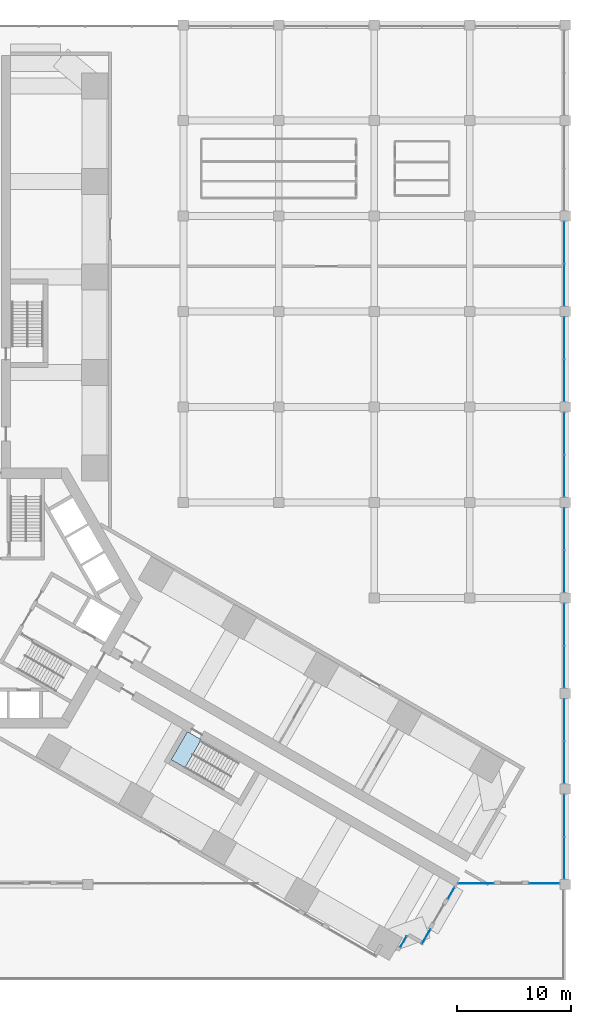
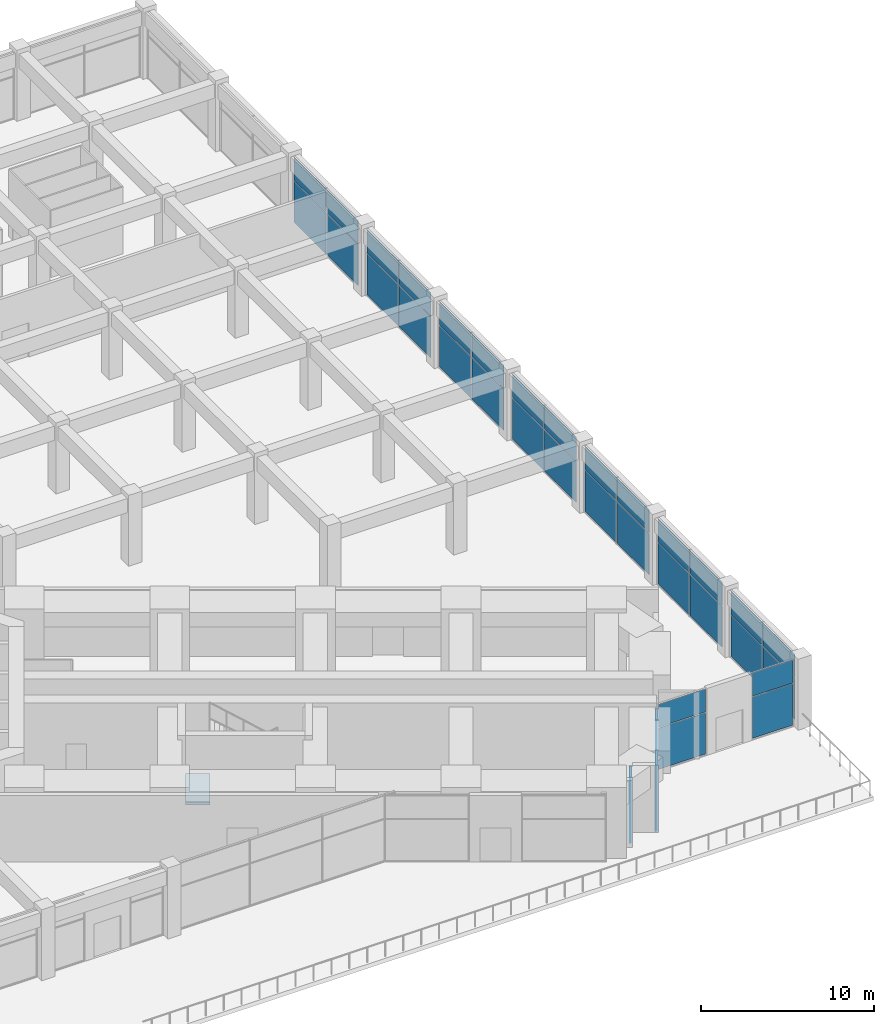
# One storey, part 24 of 34: 38 plates, 1 slab, 13 elements without a shape of their own.
"""IFC4 building model written with IfcOpenShell, lengths in metres."""

import ifcopenshell
import ifcopenshell.guid

model = None  # the IFC model being written
_history = None  # IfcOwnerHistory: only IFC2X3 demands one
_inside = {}  # id of a spatial element -> (the spatial element, [elements in it])
_under = {}  # id of a project, library or spatial element -> (it, [spatial elements below it])
_declared = {}  # id of a project -> (the project, [libraries it declares])
_typed = {}  # id of a type object -> (the type object, [elements of that type])
_made_of = {}  # id of a material, layer set ... -> (it, [elements and type objects made of it])


def new_model(schema):
    """Start an empty IFC model of exactly this schema.

    Asked for "IFC4X3", IfcOpenShell would pick the latest addendum, in which some entities
    have other attributes; the version numbers below select the first issue.
    IFC2X3 requires an IfcOwnerHistory on every rooted entity: one is made here for all.
    """
    global model, _history
    if schema == "IFC4X3":
        model = ifcopenshell.file(schema_version=(4, 3, 0, 0))
    else:
        model = ifcopenshell.file(schema=schema)
    _inside.clear()
    _under.clear()
    _declared.clear()
    _typed.clear()
    _made_of.clear()
    _history = None
    if model.schema == "IFC2X3":
        org = make("IfcOrganization", Name="unknown")
        user = make(
            "IfcPersonAndOrganization",
            ThePerson=make("IfcPerson", FamilyName="unknown"),
            TheOrganization=org,
        )
        app = make(
            "IfcApplication",
            ApplicationDeveloper=org,
            Version="unknown",
            ApplicationFullName="unknown",
            ApplicationIdentifier="unknown",
        )
        _history = make(
            "IfcOwnerHistory",
            OwningUser=user,
            OwningApplication=app,
            ChangeAction="ADDED",
            CreationDate=0,
        )
    return model


def make(cls, **values):
    """One entity of the class cls with the attributes given. An attribute that is None is left unset."""
    return model.create_entity(
        cls, **{name: value for name, value in values.items() if value is not None}
    )


def rooted(cls, **values):
    """An entity with a GlobalId (a new one), such as an element, a storey or a relation."""
    return make(cls, GlobalId=ifcopenshell.guid.new(), OwnerHistory=_history, **values)


def si_unit(unit_type, name, prefix=None):
    """IfcSIUnit, for example si_unit("LENGTHUNIT", "METRE", prefix="MILLI")."""
    return make("IfcSIUnit", UnitType=unit_type, Prefix=prefix, Name=name)


def assignment(units):
    """IfcUnitAssignment: the units of a project."""
    return None if units is None else make("IfcUnitAssignment", Units=units)


def point(xyz):
    """IfcCartesianPoint."""
    return None if xyz is None else make("IfcCartesianPoint", Coordinates=xyz)


def direction(xyz):
    """IfcDirection."""
    return None if xyz is None else make("IfcDirection", DirectionRatios=xyz)


def frame(location, z_axis=None, x_axis=None):
    """IfcAxis2Placement3D, a coordinate frame: its origin and axes. An axis left out is left unset."""
    return make(
        "IfcAxis2Placement3D",
        Location=point(location),
        Axis=direction(z_axis),
        RefDirection=direction(x_axis),
    )


def frame_2d(location, x_axis=None):
    """IfcAxis2Placement2D, a coordinate frame in the plane: its origin and x axis."""
    return make(
        "IfcAxis2Placement2D", Location=point(location), RefDirection=direction(x_axis)
    )


def origin():
    """The frame at (0, 0, 0) with its axes left unset."""
    return frame((0.0, 0.0, 0.0))


def origin_2d():
    """The frame at (0, 0) in the plane with its x axis left unset."""
    return frame_2d((0.0, 0.0))


def place(relative_to, where):
    """IfcLocalPlacement: puts the frame where relative to a parent placement (None: the world)."""
    return make(
        "IfcLocalPlacement", PlacementRelTo=relative_to, RelativePlacement=where
    )


def context(
    kind, dimensions, precision=None, world=None, true_north=None, identifier=None
):
    """IfcGeometricRepresentationContext, for example the 3D "Model" context."""
    return make(
        "IfcGeometricRepresentationContext",
        ContextIdentifier=identifier,
        ContextType=kind,
        CoordinateSpaceDimension=dimensions,
        Precision=precision,
        WorldCoordinateSystem=world,
        TrueNorth=true_north,
    )


def subcontext(parent, identifier, kind, view, scale=None):
    """IfcGeometricRepresentationSubContext, for example "Body" below "Model"."""
    return make(
        "IfcGeometricRepresentationSubContext",
        ContextIdentifier=identifier,
        ContextType=kind,
        ParentContext=parent,
        TargetScale=scale,
        TargetView=view,
    )


def project(units=None, contexts=None):
    """IfcProject with its units and contexts."""
    return rooted(
        "IfcProject",
        Name="project",
        RepresentationContexts=contexts,
        UnitsInContext=assignment(units),
    )


def spatial(cls, under=None, at=None, **own):
    """A site, building, storey or space (cls), placed at a placement, below another one or the project."""
    s = rooted(cls, ObjectPlacement=at, **own)
    if under is not None:
        _under.setdefault(under.id(), (under, []))[1].append(s)
    return s


def polyline(points):
    """IfcPolyline through the points."""
    return make("IfcPolyline", Points=[point(p) for p in points])


def profile(cls, at=None, kind="AREA", **sizes):
    """A parametric profile (cls). Its sizes go by their IFC names, for example OverallWidth=200.0."""
    return make(cls, ProfileType=kind, Position=at, **sizes)


def rectangle(**sizes):
    """IfcRectangleProfileDef."""
    return profile("IfcRectangleProfileDef", **sizes)


def outline(outer, holes=None, kind="AREA"):
    """IfcArbitraryClosedProfileDef: a profile drawn as a closed curve; with holes, ...WithVoids."""
    if holes is None:
        return make("IfcArbitraryClosedProfileDef", ProfileType=kind, OuterCurve=outer)
    return make(
        "IfcArbitraryProfileDefWithVoids",
        ProfileType=kind,
        OuterCurve=outer,
        InnerCurves=holes,
    )


def extrude(swept, where, along, depth):
    """IfcExtrudedAreaSolid: the profile swept, set in the frame where, extruded along a direction by depth."""
    return make(
        "IfcExtrudedAreaSolid",
        SweptArea=swept,
        Position=where,
        ExtrudedDirection=direction(along),
        Depth=depth,
    )


def shape(context_of_items, identifier, shape_type, items):
    """IfcShapeRepresentation: the items that make up one representation, for example the "Body"."""
    return make(
        "IfcShapeRepresentation",
        ContextOfItems=context_of_items,
        RepresentationIdentifier=identifier,
        RepresentationType=shape_type,
        Items=items,
    )


def material(Name=None, Category=None):
    """IfcMaterial."""
    return make("IfcMaterial", Name=Name, Category=Category)


def layer(
    of_material, thickness, ventilated=None, Name=None, Category=None, Priority=None
):
    """IfcMaterialLayer: one layer of a wall or slab, of a material (None: an air gap)."""
    return make(
        "IfcMaterialLayer",
        Material=of_material,
        LayerThickness=thickness,
        IsVentilated=ventilated,
        Name=Name,
        Category=Category,
        Priority=Priority,
    )


def layer_set(layers, Name=None):
    """IfcMaterialLayerSet."""
    return make("IfcMaterialLayerSet", MaterialLayers=layers, LayerSetName=Name)


def made_of(thing, what):
    """Note that an element or type object is made of a material, layer set ...; save() writes the relation."""
    if what is not None:
        _made_of.setdefault(what.id(), (what, []))[1].append(thing)
    return thing


def type_object(cls, material=None, **own):
    """A type object (cls), such as IfcWallType, which elements share."""
    return made_of(rooted(cls, **own), material)


def element(
    cls,
    number,
    at=None,
    inside=None,
    cuts=None,
    type_object=None,
    material=None,
    context=None,
    identifier="Body",
    shape_type=None,
    held_by="IfcProductDefinitionShape",
    body=None,
    shapes=None,
    **own,
):
    """One element of the class cls, such as IfcWall. Its Tag is "e" and its number.

    at: its placement. inside: the storey or other place that contains it. cuts: it is an
    opening in that element (IfcRelVoidsElement). A single representation is given by context,
    identifier, shape_type and body (its items); several are given by shapes. held_by: the class
    of the entity that holds the representations. save() writes the other relations.
    """
    e = rooted(cls, Tag="e%d" % number, ObjectPlacement=at, **own)
    if body is not None:
        shapes = [shape(context, identifier, shape_type, body)]
    if shapes is not None:
        e.Representation = make(held_by, Representations=shapes)
    if inside is not None:
        _inside.setdefault(inside.id(), (inside, []))[1].append(e)
    if cuts is not None:
        rooted(
            "IfcRelVoidsElement", RelatingBuildingElement=cuts, RelatedOpeningElement=e
        )
    if type_object is not None:
        _typed.setdefault(type_object.id(), (type_object, []))[1].append(e)
    return made_of(e, material)


def aggregate(whole, parts):
    """IfcRelAggregates: a whole, such as a stair, and the parts it consists of."""
    return rooted("IfcRelAggregates", RelatingObject=whole, RelatedObjects=parts)


def save(model, path):
    """Write the relations noted so far, then the file.

    IfcRelAggregates (storeys below a building ...), IfcRelContainedInSpatialStructure (elements
    in a storey), IfcRelDefinesByType, IfcRelAssociatesMaterial and IfcRelDeclares: one each for
    every whole, place, type object, material and project.
    """
    for whole, parts in _under.values():
        aggregate(whole, parts)
    for where, things in _inside.values():
        rooted(
            "IfcRelContainedInSpatialStructure",
            RelatedElements=things,
            RelatingStructure=where,
        )
    for kind, things in _typed.values():
        rooted("IfcRelDefinesByType", RelatedObjects=things, RelatingType=kind)
    for what, things in _made_of.values():
        rooted("IfcRelAssociatesMaterial", RelatedObjects=things, RelatingMaterial=what)
    for by, libraries in _declared.values():
        rooted("IfcRelDeclares", RelatingContext=by, RelatedDefinitions=libraries)
    model.write(path)


model = new_model("IFC4")

# Units and contexts
model_context = context("Model", 3, precision=1e-05, world=origin(), true_north=direction((0.0, 1.0)))
body_context = subcontext(model_context, "Body", "Model", "MODEL_VIEW")
ifc_project = project(units=[si_unit("LENGTHUNIT", "METRE"), si_unit("AREAUNIT", "SQUARE_METRE"), si_unit("VOLUMEUNIT", "CUBIC_METRE"), si_unit("PLANEANGLEUNIT", "RADIAN"), si_unit("MASSUNIT", "GRAM", prefix="KILO")], contexts=[model_context])

# Site, building, storey
site_placement = place(None, origin())
site = spatial("IfcSite", under=ifc_project, at=site_placement, CompositionType="ELEMENT")
building_placement = place(site_placement, origin())
building = spatial("IfcBuilding", under=site, at=building_placement, Name="Impinga Residences", CompositionType="ELEMENT")
storey_placement = place(building_placement, frame((0.0, 0.0, 11.0)))
storey = spatial("IfcBuildingStorey", under=building, at=storey_placement, Name="L02", CompositionType="ELEMENT", Elevation=11.0)

# Curtain wall, plates
ifc_material_1 = material(Name="Aluminium stick curtain wall", Category="aluminium")
curtain_wall_type = type_object("IfcCurtainWallType", Name="CW1 podium amenity curtain wall", PredefinedType="USERDEFINED", material=ifc_material_1)
curtain_wall_1_placement = place(storey_placement, origin())
curtain_wall_1 = element("IfcCurtainWall", 1, at=curtain_wall_1_placement, inside=storey, type_object=curtain_wall_type, Name="Curtain wall CW1 L02", ObjectType="STICK CURTAIN WALL", PredefinedType="USERDEFINED")
ifc_material_2 = material(Name="Clear double glazing", Category="glass")
ifc_layer_1 = layer(ifc_material_2, 0.028076171875)
ifc_layer_set_1 = layer_set([ifc_layer_1], Name="CW1-P clear double glazed panel 28")
plate_type = type_object("IfcPlateType", Name="CW1-P clear double glazed panel 28", PredefinedType="CURTAIN_PANEL", material=ifc_layer_set_1)
plate_1_placement = place(storey_placement, frame((50.300048828125, 31.258544921875, 0.06005859375), z_axis=(0.0, 0.0, 1.0), x_axis=(0.0, -1.0, 0.0)))
plate_1 = element("IfcPlate", 2, at=plate_1_placement, type_object=plate_type, Name="CW1 panel 1.1", PredefinedType="CURTAIN_PANEL", context=body_context, shape_type="SweptSolid", body=[
    extrude(rectangle(XDim=3.656982421875, YDim=0.028076171875, at=origin_2d()), origin(), (0.0, 0.0, 1.0), 2.909912109375),
])
plate_2_placement = place(storey_placement, frame((50.300048828125, 31.258544921875, 3.02978515625), z_axis=(0.0, 0.0, 1.0), x_axis=(0.0, -1.0, 0.0)))
plate_2 = element("IfcPlate", 3, at=plate_2_placement, type_object=plate_type, Name="CW1 panel 1.2", PredefinedType="CURTAIN_PANEL", context=body_context, shape_type="SweptSolid", body=[
    extrude(rectangle(XDim=3.656982421875, YDim=0.028076171875, at=origin_2d()), origin(), (0.0, 0.0, 1.0), 1.610107421875),
])
plate_3_placement = place(storey_placement, frame((50.300048828125, 27.54150390625, 0.06005859375), z_axis=(0.0, 0.0, 1.0), x_axis=(0.0, -1.0, 0.0)))
plate_3 = element("IfcPlate", 4, at=plate_3_placement, type_object=plate_type, Name="CW1 panel 2.1", PredefinedType="CURTAIN_PANEL", context=body_context, shape_type="SweptSolid", body=[
    extrude(rectangle(XDim=3.656982421875, YDim=0.028076171875, at=origin_2d()), origin(), (0.0, 0.0, 1.0), 2.909912109375),
])
plate_4_placement = place(storey_placement, frame((50.300048828125, 27.54150390625, 3.02978515625), z_axis=(0.0, 0.0, 1.0), x_axis=(0.0, -1.0, 0.0)))
plate_4 = element("IfcPlate", 5, at=plate_4_placement, type_object=plate_type, Name="CW1 panel 2.2", PredefinedType="CURTAIN_PANEL", context=body_context, shape_type="SweptSolid", body=[
    extrude(rectangle(XDim=3.656982421875, YDim=0.028076171875, at=origin_2d()), origin(), (0.0, 0.0, 1.0), 1.610107421875),
])
aggregate(curtain_wall_1, [plate_1, plate_2, plate_3, plate_4])

curtain_wall_2_placement = place(storey_placement, origin())
curtain_wall_2 = element("IfcCurtainWall", 6, at=curtain_wall_2_placement, inside=storey, type_object=curtain_wall_type, Name="Curtain wall CW1 L02", ObjectType="STICK CURTAIN WALL", PredefinedType="USERDEFINED")
plate_5_placement = place(storey_placement, frame((50.300048828125, 22.8583984375, 0.06005859375), z_axis=(0.0, 0.0, 1.0), x_axis=(0.0, -1.0, 0.0)))
plate_5 = element("IfcPlate", 7, at=plate_5_placement, type_object=plate_type, Name="CW1 panel 1.1", PredefinedType="CURTAIN_PANEL", context=body_context, shape_type="SweptSolid", body=[
    extrude(rectangle(XDim=3.656982421875, YDim=0.028076171875, at=origin_2d()), origin(), (0.0, 0.0, 1.0), 2.909912109375),
])
plate_6_placement = place(storey_placement, frame((50.300048828125, 22.8583984375, 3.02978515625), z_axis=(0.0, 0.0, 1.0), x_axis=(0.0, -1.0, 0.0)))
plate_6 = element("IfcPlate", 8, at=plate_6_placement, type_object=plate_type, Name="CW1 panel 1.2", PredefinedType="CURTAIN_PANEL", context=body_context, shape_type="SweptSolid", body=[
    extrude(rectangle(XDim=3.656982421875, YDim=0.028076171875, at=origin_2d()), origin(), (0.0, 0.0, 1.0), 1.610107421875),
])
plate_7_placement = place(storey_placement, frame((50.300048828125, 19.1416015625, 0.06005859375), z_axis=(0.0, 0.0, 1.0), x_axis=(0.0, -1.0, 0.0)))
plate_7 = element("IfcPlate", 9, at=plate_7_placement, type_object=plate_type, Name="CW1 panel 2.1", PredefinedType="CURTAIN_PANEL", context=body_context, shape_type="SweptSolid", body=[
    extrude(rectangle(XDim=3.656982421875, YDim=0.028076171875, at=origin_2d()), origin(), (0.0, 0.0, 1.0), 2.909912109375),
])
plate_8_placement = place(storey_placement, frame((50.300048828125, 19.1416015625, 3.02978515625), z_axis=(0.0, 0.0, 1.0), x_axis=(0.0, -1.0, 0.0)))
plate_8 = element("IfcPlate", 10, at=plate_8_placement, type_object=plate_type, Name="CW1 panel 2.2", PredefinedType="CURTAIN_PANEL", context=body_context, shape_type="SweptSolid", body=[
    extrude(rectangle(XDim=3.656982421875, YDim=0.028076171875, at=origin_2d()), origin(), (0.0, 0.0, 1.0), 1.610107421875),
])
aggregate(curtain_wall_2, [plate_5, plate_6, plate_7, plate_8])

curtain_wall_3_placement = place(storey_placement, origin())
curtain_wall_3 = element("IfcCurtainWall", 11, at=curtain_wall_3_placement, inside=storey, type_object=curtain_wall_type, Name="Curtain wall CW1 L02", ObjectType="STICK CURTAIN WALL", PredefinedType="USERDEFINED")
plate_9_placement = place(storey_placement, frame((50.300048828125, 14.45849609375, 0.06005859375), z_axis=(0.0, 0.0, 1.0), x_axis=(0.0, -1.0, 0.0)))
plate_9 = element("IfcPlate", 12, at=plate_9_placement, type_object=plate_type, Name="CW1 panel 1.1", PredefinedType="CURTAIN_PANEL", context=body_context, shape_type="SweptSolid", body=[
    extrude(rectangle(XDim=3.656982421875, YDim=0.028076171875, at=origin_2d()), origin(), (0.0, 0.0, 1.0), 2.909912109375),
])
plate_10_placement = place(storey_placement, frame((50.300048828125, 14.45849609375, 3.02978515625), z_axis=(0.0, 0.0, 1.0), x_axis=(0.0, -1.0, 0.0)))
plate_10 = element("IfcPlate", 13, at=plate_10_placement, type_object=plate_type, Name="CW1 panel 1.2", PredefinedType="CURTAIN_PANEL", context=body_context, shape_type="SweptSolid", body=[
    extrude(rectangle(XDim=3.656982421875, YDim=0.028076171875, at=origin_2d()), origin(), (0.0, 0.0, 1.0), 1.610107421875),
])
plate_11_placement = place(storey_placement, frame((50.300048828125, 10.741455078125, 0.06005859375), z_axis=(0.0, 0.0, 1.0), x_axis=(0.0, -1.0, 0.0)))
plate_11 = element("IfcPlate", 14, at=plate_11_placement, type_object=plate_type, Name="CW1 panel 2.1", PredefinedType="CURTAIN_PANEL", context=body_context, shape_type="SweptSolid", body=[
    extrude(rectangle(XDim=3.656982421875, YDim=0.028076171875, at=origin_2d()), origin(), (0.0, 0.0, 1.0), 2.909912109375),
])
plate_12_placement = place(storey_placement, frame((50.300048828125, 10.741455078125, 3.02978515625), z_axis=(0.0, 0.0, 1.0), x_axis=(0.0, -1.0, 0.0)))
plate_12 = element("IfcPlate", 15, at=plate_12_placement, type_object=plate_type, Name="CW1 panel 2.2", PredefinedType="CURTAIN_PANEL", context=body_context, shape_type="SweptSolid", body=[
    extrude(rectangle(XDim=3.656982421875, YDim=0.028076171875, at=origin_2d()), origin(), (0.0, 0.0, 1.0), 1.610107421875),
])
aggregate(curtain_wall_3, [plate_9, plate_10, plate_11, plate_12])

curtain_wall_4_placement = place(storey_placement, origin())
curtain_wall_4 = element("IfcCurtainWall", 16, at=curtain_wall_4_placement, inside=storey, type_object=curtain_wall_type, Name="Curtain wall CW1 L02", ObjectType="STICK CURTAIN WALL", PredefinedType="USERDEFINED")
plate_13_placement = place(storey_placement, frame((50.300048828125, 6.05859375, 0.06005859375), z_axis=(0.0, 0.0, 1.0), x_axis=(0.0, -1.0, 0.0)))
plate_13 = element("IfcPlate", 17, at=plate_13_placement, type_object=plate_type, Name="CW1 panel 1.1", PredefinedType="CURTAIN_PANEL", context=body_context, shape_type="SweptSolid", body=[
    extrude(rectangle(XDim=3.656982421875, YDim=0.028076171875, at=origin_2d()), origin(), (0.0, 0.0, 1.0), 2.909912109375),
])
plate_14_placement = place(storey_placement, frame((50.300048828125, 6.05859375, 3.02978515625), z_axis=(0.0, 0.0, 1.0), x_axis=(0.0, -1.0, 0.0)))
plate_14 = element("IfcPlate", 18, at=plate_14_placement, type_object=plate_type, Name="CW1 panel 1.2", PredefinedType="CURTAIN_PANEL", context=body_context, shape_type="SweptSolid", body=[
    extrude(rectangle(XDim=3.656982421875, YDim=0.028076171875, at=origin_2d()), origin(), (0.0, 0.0, 1.0), 1.610107421875),
])
plate_15_placement = place(storey_placement, frame((50.300048828125, 2.341552734375, 0.06005859375), z_axis=(0.0, 0.0, 1.0), x_axis=(0.0, -1.0, 0.0)))
plate_15 = element("IfcPlate", 19, at=plate_15_placement, type_object=plate_type, Name="CW1 panel 2.1", PredefinedType="CURTAIN_PANEL", context=body_context, shape_type="SweptSolid", body=[
    extrude(rectangle(XDim=3.656982421875, YDim=0.028076171875, at=origin_2d()), origin(), (0.0, 0.0, 1.0), 2.909912109375),
])
plate_16_placement = place(storey_placement, frame((50.300048828125, 2.341552734375, 3.02978515625), z_axis=(0.0, 0.0, 1.0), x_axis=(0.0, -1.0, 0.0)))
plate_16 = element("IfcPlate", 20, at=plate_16_placement, type_object=plate_type, Name="CW1 panel 2.2", PredefinedType="CURTAIN_PANEL", context=body_context, shape_type="SweptSolid", body=[
    extrude(rectangle(XDim=3.656982421875, YDim=0.028076171875, at=origin_2d()), origin(), (0.0, 0.0, 1.0), 1.610107421875),
])
aggregate(curtain_wall_4, [plate_13, plate_14, plate_15, plate_16])

curtain_wall_5_placement = place(storey_placement, origin())
curtain_wall_5 = element("IfcCurtainWall", 21, at=curtain_wall_5_placement, inside=storey, type_object=curtain_wall_type, Name="Curtain wall CW1 L02", ObjectType="STICK CURTAIN WALL", PredefinedType="USERDEFINED")
plate_17_placement = place(storey_placement, frame((50.300048828125, -2.341552734375, 0.06005859375), z_axis=(0.0, 0.0, 1.0), x_axis=(0.0, -1.0, 0.0)))
plate_17 = element("IfcPlate", 22, at=plate_17_placement, type_object=plate_type, Name="CW1 panel 1.1", PredefinedType="CURTAIN_PANEL", context=body_context, shape_type="SweptSolid", body=[
    extrude(rectangle(XDim=3.656982421875, YDim=0.028076171875, at=origin_2d()), origin(), (0.0, 0.0, 1.0), 2.909912109375),
])
plate_18_placement = place(storey_placement, frame((50.300048828125, -2.341552734375, 3.02978515625), z_axis=(0.0, 0.0, 1.0), x_axis=(0.0, -1.0, 0.0)))
plate_18 = element("IfcPlate", 23, at=plate_18_placement, type_object=plate_type, Name="CW1 panel 1.2", PredefinedType="CURTAIN_PANEL", context=body_context, shape_type="SweptSolid", body=[
    extrude(rectangle(XDim=3.656982421875, YDim=0.028076171875, at=origin_2d()), origin(), (0.0, 0.0, 1.0), 1.610107421875),
])
plate_19_placement = place(storey_placement, frame((50.300048828125, -6.05859375, 0.06005859375), z_axis=(0.0, 0.0, 1.0), x_axis=(0.0, -1.0, 0.0)))
plate_19 = element("IfcPlate", 24, at=plate_19_placement, type_object=plate_type, Name="CW1 panel 2.1", PredefinedType="CURTAIN_PANEL", context=body_context, shape_type="SweptSolid", body=[
    extrude(rectangle(XDim=3.656982421875, YDim=0.028076171875, at=origin_2d()), origin(), (0.0, 0.0, 1.0), 2.909912109375),
])
plate_20_placement = place(storey_placement, frame((50.300048828125, -6.05859375, 3.02978515625), z_axis=(0.0, 0.0, 1.0), x_axis=(0.0, -1.0, 0.0)))
plate_20 = element("IfcPlate", 25, at=plate_20_placement, type_object=plate_type, Name="CW1 panel 2.2", PredefinedType="CURTAIN_PANEL", context=body_context, shape_type="SweptSolid", body=[
    extrude(rectangle(XDim=3.656982421875, YDim=0.028076171875, at=origin_2d()), origin(), (0.0, 0.0, 1.0), 1.610107421875),
])
aggregate(curtain_wall_5, [plate_17, plate_18, plate_19, plate_20])

curtain_wall_6_placement = place(storey_placement, origin())
curtain_wall_6 = element("IfcCurtainWall", 26, at=curtain_wall_6_placement, inside=storey, type_object=curtain_wall_type, Name="Curtain wall CW1 L02", ObjectType="STICK CURTAIN WALL", PredefinedType="USERDEFINED")
plate_21_placement = place(storey_placement, frame((50.300048828125, -10.741455078125, 0.06005859375), z_axis=(0.0, 0.0, 1.0), x_axis=(0.0, -1.0, 0.0)))
plate_21 = element("IfcPlate", 27, at=plate_21_placement, type_object=plate_type, Name="CW1 panel 1.1", PredefinedType="CURTAIN_PANEL", context=body_context, shape_type="SweptSolid", body=[
    extrude(rectangle(XDim=3.656982421875, YDim=0.028076171875, at=origin_2d()), origin(), (0.0, 0.0, 1.0), 2.909912109375),
])
plate_22_placement = place(storey_placement, frame((50.300048828125, -10.741455078125, 3.02978515625), z_axis=(0.0, 0.0, 1.0), x_axis=(0.0, -1.0, 0.0)))
plate_22 = element("IfcPlate", 28, at=plate_22_placement, type_object=plate_type, Name="CW1 panel 1.2", PredefinedType="CURTAIN_PANEL", context=body_context, shape_type="SweptSolid", body=[
    extrude(rectangle(XDim=3.656982421875, YDim=0.028076171875, at=origin_2d()), origin(), (0.0, 0.0, 1.0), 1.610107421875),
])
plate_23_placement = place(storey_placement, frame((50.300048828125, -14.45849609375, 0.06005859375), z_axis=(0.0, 0.0, 1.0), x_axis=(0.0, -1.0, 0.0)))
plate_23 = element("IfcPlate", 29, at=plate_23_placement, type_object=plate_type, Name="CW1 panel 2.1", PredefinedType="CURTAIN_PANEL", context=body_context, shape_type="SweptSolid", body=[
    extrude(rectangle(XDim=3.656982421875, YDim=0.028076171875, at=origin_2d()), origin(), (0.0, 0.0, 1.0), 2.909912109375),
])
plate_24_placement = place(storey_placement, frame((50.300048828125, -14.45849609375, 3.02978515625), z_axis=(0.0, 0.0, 1.0), x_axis=(0.0, -1.0, 0.0)))
plate_24 = element("IfcPlate", 30, at=plate_24_placement, type_object=plate_type, Name="CW1 panel 2.2", PredefinedType="CURTAIN_PANEL", context=body_context, shape_type="SweptSolid", body=[
    extrude(rectangle(XDim=3.656982421875, YDim=0.028076171875, at=origin_2d()), origin(), (0.0, 0.0, 1.0), 1.610107421875),
])
aggregate(curtain_wall_6, [plate_21, plate_22, plate_23, plate_24])

curtain_wall_7_placement = place(storey_placement, origin())
curtain_wall_7 = element("IfcCurtainWall", 31, at=curtain_wall_7_placement, inside=storey, type_object=curtain_wall_type, Name="Curtain wall CW1 L02", ObjectType="STICK CURTAIN WALL", PredefinedType="USERDEFINED")
plate_25_placement = place(storey_placement, frame((50.300048828125, -19.1416015625, 0.06005859375), z_axis=(0.0, 0.0, 1.0), x_axis=(0.0, -1.0, 0.0)))
plate_25 = element("IfcPlate", 32, at=plate_25_placement, type_object=plate_type, Name="CW1 panel 1.1", PredefinedType="CURTAIN_PANEL", context=body_context, shape_type="SweptSolid", body=[
    extrude(rectangle(XDim=3.656982421875, YDim=0.028076171875, at=origin_2d()), origin(), (0.0, 0.0, 1.0), 2.909912109375),
])
plate_26_placement = place(storey_placement, frame((50.300048828125, -19.1416015625, 3.02978515625), z_axis=(0.0, 0.0, 1.0), x_axis=(0.0, -1.0, 0.0)))
plate_26 = element("IfcPlate", 33, at=plate_26_placement, type_object=plate_type, Name="CW1 panel 1.2", PredefinedType="CURTAIN_PANEL", context=body_context, shape_type="SweptSolid", body=[
    extrude(rectangle(XDim=3.656982421875, YDim=0.028076171875, at=origin_2d()), origin(), (0.0, 0.0, 1.0), 1.610107421875),
])
plate_27_placement = place(storey_placement, frame((50.300048828125, -22.8583984375, 0.06005859375), z_axis=(0.0, 0.0, 1.0), x_axis=(0.0, -1.0, 0.0)))
plate_27 = element("IfcPlate", 34, at=plate_27_placement, type_object=plate_type, Name="CW1 panel 2.1", PredefinedType="CURTAIN_PANEL", context=body_context, shape_type="SweptSolid", body=[
    extrude(rectangle(XDim=3.656982421875, YDim=0.028076171875, at=origin_2d()), origin(), (0.0, 0.0, 1.0), 2.909912109375),
])
plate_28_placement = place(storey_placement, frame((50.300048828125, -22.8583984375, 3.02978515625), z_axis=(0.0, 0.0, 1.0), x_axis=(0.0, -1.0, 0.0)))
plate_28 = element("IfcPlate", 35, at=plate_28_placement, type_object=plate_type, Name="CW1 panel 2.2", PredefinedType="CURTAIN_PANEL", context=body_context, shape_type="SweptSolid", body=[
    extrude(rectangle(XDim=3.656982421875, YDim=0.028076171875, at=origin_2d()), origin(), (0.0, 0.0, 1.0), 1.610107421875),
])
aggregate(curtain_wall_7, [plate_25, plate_26, plate_27, plate_28])

curtain_wall_8_placement = place(storey_placement, origin())
curtain_wall_8 = element("IfcCurtainWall", 36, at=curtain_wall_8_placement, inside=storey, type_object=curtain_wall_type, Name="Curtain wall CW1 L02", ObjectType="STICK CURTAIN WALL", PredefinedType="USERDEFINED")
plate_29_placement = place(storey_placement, frame((48.5517578125, -25.10009765625, 0.06005859375), z_axis=(0.0, 0.0, 1.0), x_axis=(-1.0, 0.0, 0.0)))
plate_29 = element("IfcPlate", 37, at=plate_29_placement, type_object=plate_type, Name="CW1 panel 1.1", PredefinedType="CURTAIN_PANEL", context=body_context, shape_type="SweptSolid", body=[
    extrude(rectangle(XDim=2.670654296875, YDim=0.028076171875, at=origin_2d()), origin(), (0.0, 0.0, 1.0), 2.909912109375),
])
plate_30_placement = place(storey_placement, frame((48.5517578125, -25.10009765625, 3.02978515625), z_axis=(0.0, 0.0, 1.0), x_axis=(-1.0, 0.0, 0.0)))
plate_30 = element("IfcPlate", 38, at=plate_30_placement, type_object=plate_type, Name="CW1 panel 1.2", PredefinedType="CURTAIN_PANEL", context=body_context, shape_type="SweptSolid", body=[
    extrude(rectangle(XDim=2.670654296875, YDim=0.028076171875, at=origin_2d()), origin(), (0.0, 0.0, 1.0), 1.610107421875),
])
aggregate(curtain_wall_8, [plate_29, plate_30])

curtain_wall_9_placement = place(storey_placement, origin())
curtain_wall_9 = element("IfcCurtainWall", 39, at=curtain_wall_9_placement, inside=storey, type_object=curtain_wall_type, Name="Curtain wall CW1 L02", ObjectType="STICK CURTAIN WALL", PredefinedType="USERDEFINED")
plate_31_placement = place(storey_placement, frame((42.53466796875, -25.10009765625, 0.06005859375), z_axis=(0.0, 0.0, 1.0), x_axis=(-1.0, 0.0, 0.0)))
plate_31 = element("IfcPlate", 40, at=plate_31_placement, type_object=plate_type, Name="CW1 panel 1.1", PredefinedType="CURTAIN_PANEL", context=body_context, shape_type="SweptSolid", body=[
    extrude(rectangle(XDim=3.12353515625, YDim=0.028076171875, at=origin_2d()), origin(), (0.0, 0.0, 1.0), 2.909912109375),
])
plate_32_placement = place(storey_placement, frame((42.53466796875, -25.10009765625, 3.02978515625), z_axis=(0.0, 0.0, 1.0), x_axis=(-1.0, 0.0, 0.0)))
plate_32 = element("IfcPlate", 41, at=plate_32_placement, type_object=plate_type, Name="CW1 panel 1.2", PredefinedType="CURTAIN_PANEL", context=body_context, shape_type="SweptSolid", body=[
    extrude(rectangle(XDim=3.12353515625, YDim=0.028076171875, at=origin_2d()), origin(), (0.0, 0.0, 1.0), 1.610107421875),
])
aggregate(curtain_wall_9, [plate_31, plate_32])

curtain_wall_10_placement = place(storey_placement, origin())
curtain_wall_10 = element("IfcCurtainWall", 42, at=curtain_wall_10_placement, inside=storey, type_object=curtain_wall_type, Name="Curtain wall CW1 L02", ObjectType="STICK CURTAIN WALL", PredefinedType="USERDEFINED")
plate_33_placement = place(storey_placement, frame((40.34814453125, -25.978271484375, 0.06005859375), z_axis=(0.0, 0.0, 1.0), x_axis=(-0.500000310039, -0.866025224783, 0.0)))
plate_33 = element("IfcPlate", 43, at=plate_33_placement, type_object=plate_type, Name="CW1 panel 1.1", PredefinedType="CURTAIN_PANEL", context=body_context, shape_type="SweptSolid", body=[
    extrude(rectangle(XDim=1.099853515625, YDim=0.028076171875, at=origin_2d()), origin(), (0.0, 0.0, 1.0), 2.909912109375),
])
plate_34_placement = place(storey_placement, frame((40.34814453125, -25.978271484375, 3.02978515625), z_axis=(0.0, 0.0, 1.0), x_axis=(-0.500000310039, -0.866025224783, 0.0)))
plate_34 = element("IfcPlate", 44, at=plate_34_placement, type_object=plate_type, Name="CW1 panel 1.2", PredefinedType="CURTAIN_PANEL", context=body_context, shape_type="SweptSolid", body=[
    extrude(rectangle(XDim=1.099853515625, YDim=0.028076171875, at=origin_2d()), origin(), (0.0, 0.0, 1.0), 1.610107421875),
])
aggregate(curtain_wall_10, [plate_33, plate_34])

curtain_wall_11_placement = place(storey_placement, origin())
curtain_wall_11 = element("IfcCurtainWall", 45, at=curtain_wall_11_placement, inside=storey, type_object=curtain_wall_type, Name="Curtain wall CW1 L02", ObjectType="STICK CURTAIN WALL", PredefinedType="USERDEFINED")
plate_35_placement = place(storey_placement, frame((38.151611328125, -29.78271484375, 0.06005859375), z_axis=(0.0, 0.0, 1.0), x_axis=(-0.499999723955, -0.866025563159, 0.0)))
plate_35 = element("IfcPlate", 46, at=plate_35_placement, type_object=plate_type, Name="CW1 panel 1.1", PredefinedType="CURTAIN_PANEL", context=body_context, shape_type="SweptSolid", body=[
    extrude(rectangle(XDim=1.4462890625, YDim=0.028076171875, at=origin_2d()), origin(), (0.0, 0.0, 1.0), 2.909912109375),
])
plate_36_placement = place(storey_placement, frame((38.151611328125, -29.78271484375, 3.02978515625), z_axis=(0.0, 0.0, 1.0), x_axis=(-0.499999723955, -0.866025563159, 0.0)))
plate_36 = element("IfcPlate", 47, at=plate_36_placement, type_object=plate_type, Name="CW1 panel 1.2", PredefinedType="CURTAIN_PANEL", context=body_context, shape_type="SweptSolid", body=[
    extrude(rectangle(XDim=1.4462890625, YDim=0.028076171875, at=origin_2d()), origin(), (0.0, 0.0, 1.0), 1.610107421875),
])
aggregate(curtain_wall_11, [plate_35, plate_36])

curtain_wall_12_placement = place(storey_placement, origin())
curtain_wall_12 = element("IfcCurtainWall", 48, at=curtain_wall_12_placement, inside=storey, type_object=curtain_wall_type, Name="Curtain wall CW1 L02", ObjectType="STICK CURTAIN WALL", PredefinedType="USERDEFINED")
plate_37_placement = place(storey_placement, frame((36.160888671875, -30.23046875, 0.06005859375), z_axis=(0.0, 0.0, 1.0), x_axis=(-0.499999813995, -0.866025511175, 0.0)))
plate_37 = element("IfcPlate", 49, at=plate_37_placement, type_object=plate_type, Name="CW1 panel 1.1", PredefinedType="CURTAIN_PANEL", context=body_context, shape_type="SweptSolid", body=[
    extrude(rectangle(XDim=1.080078125, YDim=0.028076171875, at=origin_2d()), origin(), (0.0, 0.0, 1.0), 2.909912109375),
])
plate_38_placement = place(storey_placement, frame((36.160888671875, -30.23046875, 3.02978515625), z_axis=(0.0, 0.0, 1.0), x_axis=(-0.499999813995, -0.866025511175, 0.0)))
plate_38 = element("IfcPlate", 50, at=plate_38_placement, type_object=plate_type, Name="CW1 panel 1.2", PredefinedType="CURTAIN_PANEL", context=body_context, shape_type="SweptSolid", body=[
    extrude(rectangle(XDim=1.080078125, YDim=0.028076171875, at=origin_2d()), origin(), (0.0, 0.0, 1.0), 1.610107421875),
])
aggregate(curtain_wall_12, [plate_37, plate_38])

# Stair, slab
ifc_material_3 = material(Name="Concrete C40/50", Category="concrete")
stair_type = type_object("IfcStairType", Name="STR wing stair 5000 storey, 30 risers", PredefinedType="HALF_TURN_STAIR", material=ifc_material_3)
stair_placement = place(storey_placement, origin())
stair = element("IfcStair", 51, at=stair_placement, inside=storey, type_object=stair_type, Name="Stair WS3 L02", PredefinedType="HALF_TURN_STAIR")
ifc_layer_2 = layer(ifc_material_3, 0.199951171875)
ifc_layer_set_2 = layer_set([ifc_layer_2], Name="Concrete C40/50")
slab_type = type_object("IfcSlabType", Name="LS1 stair landing 200", PredefinedType="LANDING", material=ifc_layer_set_2)
slab_placement = place(storey_placement, frame((0.0, 0.0, -0.199951171875)))
slab = element("IfcSlab", 52, at=slab_placement, type_object=slab_type, Name="WS3 landing 1", PredefinedType="LANDING", context=body_context, shape_type="SweptSolid", body=[
    extrude(outline(polyline([(17.154052734375, -11.75146484375), (15.72900390625, -14.219482421875), (16.9501953125, -14.924560546875), (18.375244140625, -12.456298828125), (17.154052734375, -11.75146484375)])), origin(), (0.0, 0.0, 1.0), 0.199951171875),
])
aggregate(stair, [slab])

save(model, "model.ifc")
